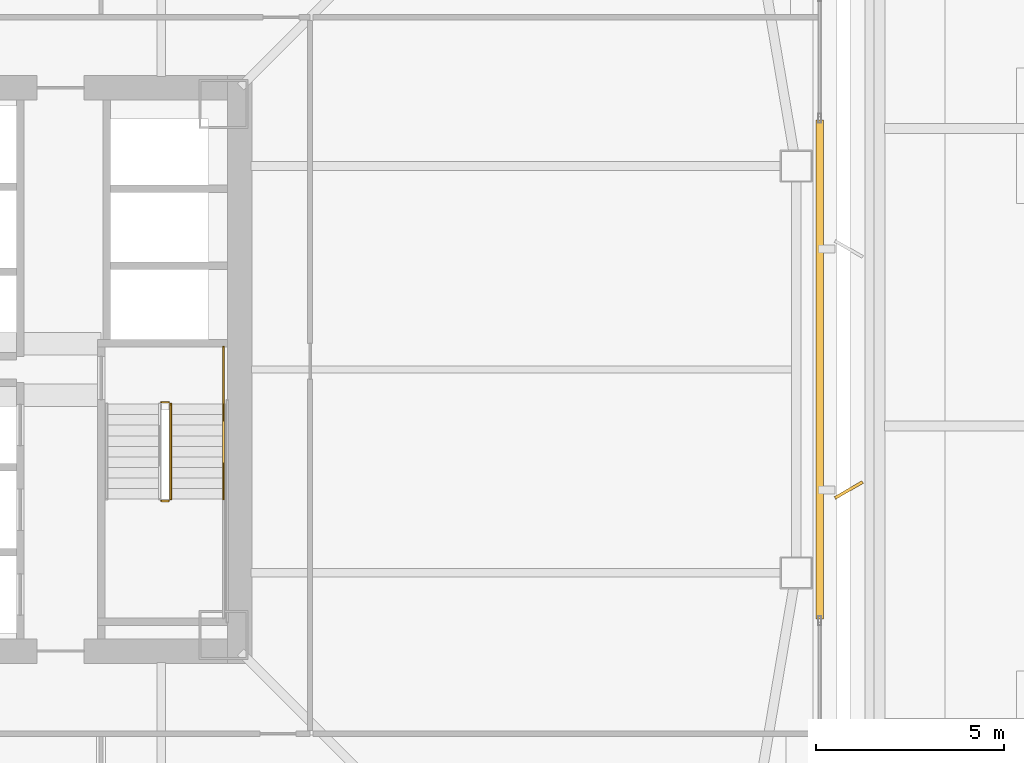
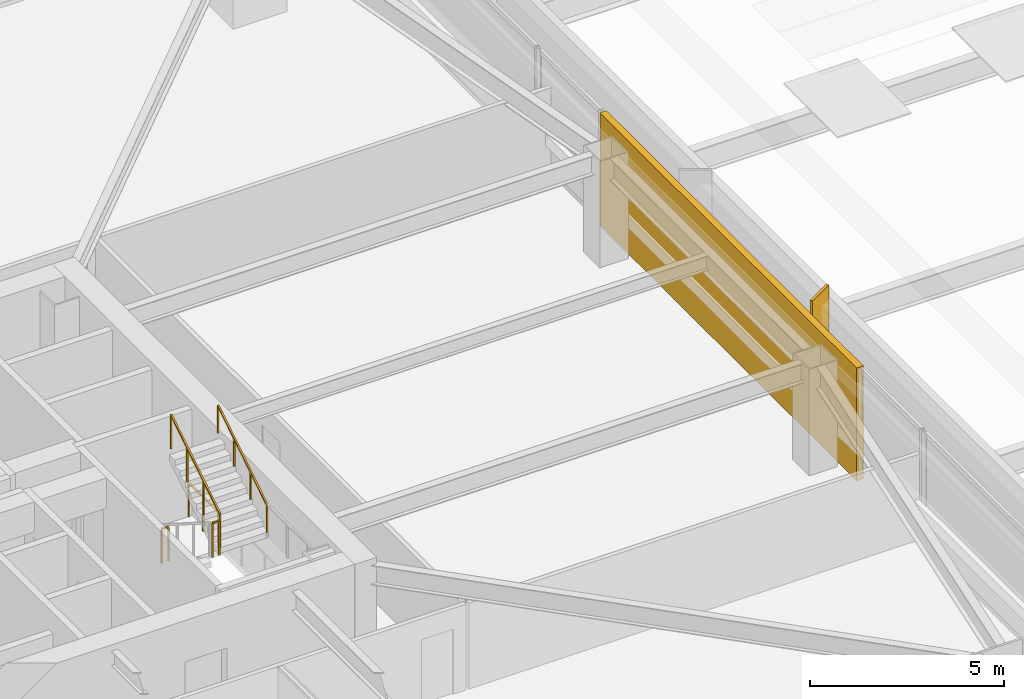
# One storey, part 54 of 62: 5 railings, 1 covering, 1 shading device.
"""IFC4 building model written with IfcOpenShell, lengths in metres."""

from ifc_helpers import new_model, si_unit, direction, frame, origin, origin_2d, place, context, subcontext, project, spatial, rectangle, extrude, material, layer, layer_set, type_object, element, save


model = new_model("IFC4")

# Units and contexts
model_context = context("Model", 3, precision=1e-05, world=origin(), true_north=direction((0.0, 1.0)))
body_context = subcontext(model_context, "Body", "Model", "MODEL_VIEW")
ifc_project = project(units=[si_unit("LENGTHUNIT", "METRE"), si_unit("AREAUNIT", "SQUARE_METRE"), si_unit("VOLUMEUNIT", "CUBIC_METRE"), si_unit("PLANEANGLEUNIT", "RADIAN"), si_unit("MASSUNIT", "GRAM", prefix="KILO")], contexts=[model_context])

# Site, building, storey
site_placement = place(None, origin())
site = spatial("IfcSite", under=ifc_project, at=site_placement, CompositionType="ELEMENT")
building_placement = place(site_placement, origin())
building = spatial("IfcBuilding", under=site, at=building_placement, Name="Tashvorn Skyway Center", CompositionType="ELEMENT")
storey_placement = place(building_placement, frame((0.0, 0.0, 28.14990234375)))
storey = spatial("IfcBuildingStorey", under=building, at=storey_placement, Name="L06", CompositionType="ELEMENT", Elevation=28.14990234375)

# Covering
ifc_material_1 = material(Name="Precast concrete C40/50", Category="concrete")
ifc_layer_1 = layer(ifc_material_1, 0.199951171875)
ifc_layer_set_1 = layer_set([ifc_layer_1], Name="Precast concrete C40/50")
covering_type = type_object("IfcCoveringType", Name="COV-BRACE-CLAD", PredefinedType="CLADDING", material=ifc_layer_set_1)
covering_placement = place(storey_placement, frame((64.8798828125, 32.0, 0.0), z_axis=(0.0, 0.0, 1.0), x_axis=(0.0, -1.0, 0.0)))
element("IfcCovering", 1, at=covering_placement, inside=storey, type_object=covering_type, Name="Tower 1 L06 East Unitised Curtain Wall Mega-Brace Cladding Band 1", PredefinedType="CLADDING", context=body_context, shape_type="SweptSolid", body=[
    extrude(rectangle(XDim=13.25341796875, YDim=0.199951171875, at=origin_2d()), origin(), (0.0, 0.0, 1.0), 3.550048828125),
])

# Railings
ifc_material_2 = material(Name="Brushed stainless steel 316", Category="steel")
railing_type_1 = type_object("IfcRailingType", Name="RAIL-HAND-920", PredefinedType="HANDRAIL", material=ifc_material_2)
railing_1_placement = place(storey_placement, frame((49.050048828125, 28.56005859375, 1.95263671875)))
element("IfcRailing", 2, at=railing_1_placement, inside=storey, type_object=railing_type_1, Name="L06 ST-T1-2 stair handrail 2", PredefinedType="HANDRAIL", context=body_context, shape_type="SweptSolid", body=[
    extrude(rectangle(XDim=0.048095703125, YDim=0.048095703125, at=origin_2d()), frame((0.0, 0.0, 0.8759765625), z_axis=(0.0, 0.84460694969, 0.535386869969), x_axis=(-1.0, 0.0, 0.0)), (0.0, 0.0, 1.0), 2.983642578125),
    extrude(rectangle(XDim=0.0419921875, YDim=0.0419921875, at=origin_2d()), origin(), (0.0, 0.0, 1.0), 0.851806640625),
    extrude(rectangle(XDim=0.0419921875, YDim=0.0419921875, at=origin_2d()), frame((0.0, 0.840087890625, 0.532470703125)), (0.0, 0.0, 1.0), 0.851806640625),
    extrude(rectangle(XDim=0.0419921875, YDim=0.0419921875, at=origin_2d()), frame((0.0, 1.679931640625, 1.06494140625)), (0.0, 0.0, 1.0), 0.851806640625),
    extrude(rectangle(XDim=0.0419921875, YDim=0.0419921875, at=origin_2d()), frame((0.0, 2.52001953125, 1.597412109375)), (0.0, 0.0, 1.0), 0.851806640625),
])
ifc_material_3 = material(Name="Painted galvanized steel S355", Category="steel")
railing_type_2 = type_object("IfcRailingType", Name="RAIL-STGUARD-1100", PredefinedType="GUARDRAIL", material=ifc_material_3)
railing_2_placement = place(storey_placement, frame((47.39990234375, 28.510009765625, 1.775146484375)))
element("IfcRailing", 3, at=railing_2_placement, inside=storey, type_object=railing_type_2, Name="L06 ST-T1-2 stair guard 2", PredefinedType="GUARDRAIL", context=body_context, shape_type="SweptSolid", body=[
    extrude(rectangle(XDim=0.048095703125, YDim=0.048095703125, at=origin_2d()), frame((0.0, 0.0, 1.076171875), z_axis=(1.0, 0.0, 0.0), x_axis=(0.0, 1.0, 0.0)), (0.0, 0.0, 1.0), 0.2001953125),
    extrude(rectangle(XDim=0.0419921875, YDim=0.0419921875, at=origin_2d()), origin(), (0.0, 0.0, 1.0), 1.052001953125),
    extrude(rectangle(XDim=0.0419921875, YDim=0.0419921875, at=origin_2d()), frame((0.2001953125, 0.0, 0.0)), (0.0, 0.0, 1.0), 1.052001953125),
])
railing_3_placement = place(storey_placement, frame((47.64990234375, 28.56005859375, 1.95263671875)))
element("IfcRailing", 4, at=railing_3_placement, inside=storey, type_object=railing_type_2, Name="L06 ST-T1-2 stair guard 4", PredefinedType="GUARDRAIL", context=body_context, shape_type="SweptSolid", body=[
    extrude(rectangle(XDim=0.048095703125, YDim=0.048095703125, at=origin_2d()), frame((0.0, 0.0, 1.076171875), z_axis=(0.0, 0.84460694969, 0.535386869969), x_axis=(-1.0, 0.0, 0.0)), (0.0, 0.0, 1.0), 2.983642578125),
    extrude(rectangle(XDim=0.0419921875, YDim=0.0419921875, at=origin_2d()), origin(), (0.0, 0.0, 1.0), 1.052001953125),
    extrude(rectangle(XDim=0.0419921875, YDim=0.0419921875, at=origin_2d()), frame((0.0, 0.840087890625, 0.532470703125)), (0.0, 0.0, 1.0), 1.052001953125),
    extrude(rectangle(XDim=0.0419921875, YDim=0.0419921875, at=origin_2d()), frame((0.0, 1.679931640625, 1.06494140625)), (0.0, 0.0, 1.0), 1.052001953125),
    extrude(rectangle(XDim=0.0419921875, YDim=0.0419921875, at=origin_2d()), frame((0.0, 2.52001953125, 1.597412109375)), (0.0, 0.0, 1.0), 1.052001953125),
])
railing_4_placement = place(storey_placement, frame((47.39990234375, 31.1298828125, 0.0)))
element("IfcRailing", 5, at=railing_4_placement, inside=storey, type_object=railing_type_2, Name="L06 ST-T1-2 stair guard 5", PredefinedType="GUARDRAIL", context=body_context, shape_type="SweptSolid", body=[
    extrude(rectangle(XDim=0.048095703125, YDim=0.048095703125, at=origin_2d()), frame((0.0, 0.0, 1.076171875), z_axis=(1.0, 0.0, 0.0), x_axis=(0.0, 1.0, 0.0)), (0.0, 0.0, 1.0), 0.2001953125),
    extrude(rectangle(XDim=0.0419921875, YDim=0.0419921875, at=origin_2d()), origin(), (0.0, 0.0, 1.0), 1.052001953125),
    extrude(rectangle(XDim=0.0419921875, YDim=0.0419921875, at=origin_2d()), frame((0.2001953125, 0.0, 0.0)), (0.0, 0.0, 1.0), 1.052001953125),
])
railing_5_placement = place(storey_placement, frame((49.050048828125, 32.60009765625, 0.0)))
element("IfcRailing", 6, at=railing_5_placement, inside=storey, type_object=railing_type_2, Name="L06 ST-T1-2 stair guard 6", PredefinedType="GUARDRAIL", context=body_context, shape_type="SweptSolid", body=[
    extrude(rectangle(XDim=0.048095703125, YDim=0.048095703125, at=origin_2d()), frame((0.0, 0.0, 1.076171875), z_axis=(0.0, -1.0, 0.0), x_axis=(1.0, 0.0, 0.0)), (0.0, 0.0, 1.0), 1.52001953125),
    extrude(rectangle(XDim=0.0419921875, YDim=0.0419921875, at=origin_2d()), origin(), (0.0, 0.0, 1.0), 1.052001953125),
    extrude(rectangle(XDim=0.0419921875, YDim=0.0419921875, at=origin_2d()), frame((0.0, -0.760009765625, 0.0)), (0.0, 0.0, 1.0), 1.052001953125),
    extrude(rectangle(XDim=0.0419921875, YDim=0.0419921875, at=origin_2d()), frame((0.0, -1.52001953125, 0.0)), (0.0, 0.0, 1.0), 1.052001953125),
])

# Shading device
ifc_material_4 = material(Name="Perforated ceramic-coated bronze aluminium solar screen", Category="aluminium")
ifc_layer_2 = layer(ifc_material_4, 0.06005859375)
ifc_layer_set_2 = layer_set([ifc_layer_2], Name="Perforated ceramic-coated bronze aluminium solar screen")
shading_device_type = type_object("IfcShadingDeviceType", Name="SHD-SOLAR-850", PredefinedType="USERDEFINED", material=ifc_layer_set_2)
shading_device_placement = place(storey_placement, frame((65.64990234375, 28.800048828125, -0.099853515625), z_axis=(0.0, 0.0, 1.0), x_axis=(0.5, -0.866025403784, 0.0)))
element("IfcShadingDevice", 7, at=shading_device_placement, inside=storey, type_object=shading_device_type, Name="Tower 1 L06 Perforated Ceramic-Metal Solar Screen E1", ObjectType="SCREEN", PredefinedType="USERDEFINED", context=body_context, shape_type="SweptSolid", body=[
    extrude(rectangle(XDim=0.080078125, YDim=0.85009765625, at=origin_2d()), origin(), (0.0, 0.0, 1.0), 3.64990234375),
])

save(model, "model.ifc")
